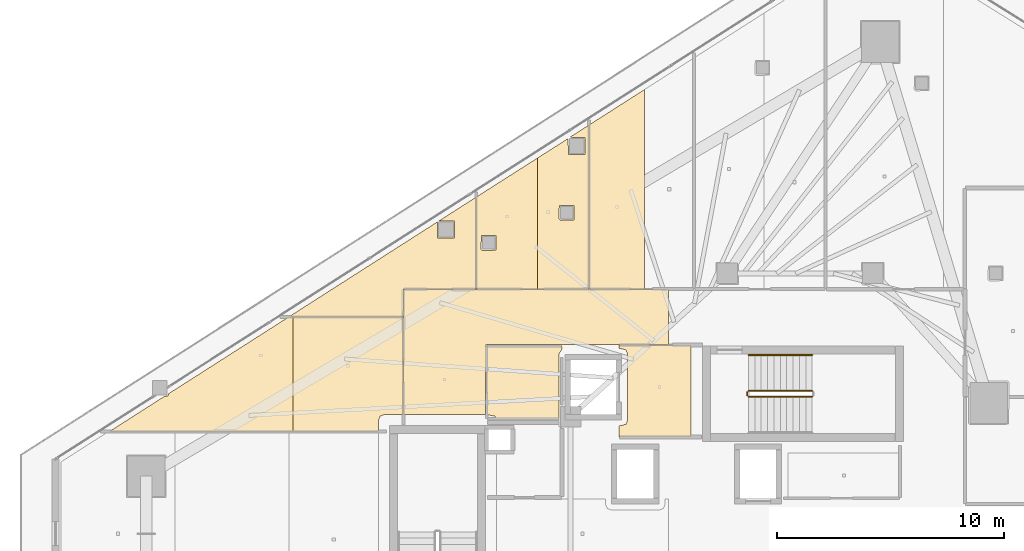
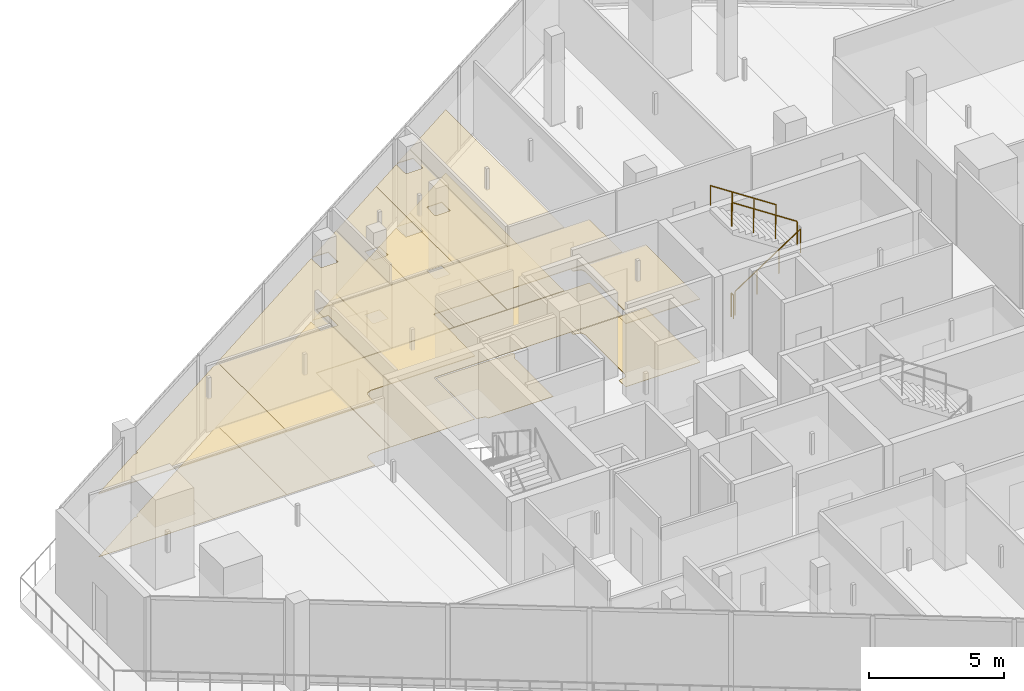
# One storey, part 32 of 33: 17 coverings, 4 railings.
"""IFC4 building model written with IfcOpenShell, lengths in metres."""

from ifc_helpers import new_model, si_unit, direction, frame, origin, origin_2d, place, context, subcontext, project, spatial, polyline, circle, outline, extrude, material, layer, layer_set, type_object, element, save


model = new_model("IFC4")

# Units and contexts
model_context = context("Model", 3, precision=1e-05, world=origin(), true_north=direction((0.0, 1.0)))
body_context = subcontext(model_context, "Body", "Model", "MODEL_VIEW")
ifc_project = project(units=[si_unit("LENGTHUNIT", "METRE"), si_unit("AREAUNIT", "SQUARE_METRE"), si_unit("VOLUMEUNIT", "CUBIC_METRE"), si_unit("PLANEANGLEUNIT", "RADIAN"), si_unit("MASSUNIT", "GRAM", prefix="KILO")], contexts=[model_context])

# Site, building, storey
site_placement = place(None, origin())
site = spatial("IfcSite", under=ifc_project, at=site_placement, CompositionType="ELEMENT")
building_placement = place(site_placement, origin())
building = spatial("IfcBuilding", under=site, at=building_placement, Name="Qorvath Tower", CompositionType="ELEMENT")
storey_placement = place(building_placement, frame((0.0, 0.0, 237.449951171875)))
storey = spatial("IfcBuildingStorey", under=building, at=storey_placement, Name="L55", CompositionType="ELEMENT", Elevation=237.449951171875)

# Coverings
ifc_material_1 = material(Name="Acoustic mineral fibre ceiling tile", Category="gypsum")
ifc_layer_1 = layer(ifc_material_1, 0.030029296875)
ifc_layer_set_1 = layer_set([ifc_layer_1], Name="COV-CEIL")
covering_type_1 = type_object("IfcCoveringType", Name="COV-CEIL", PredefinedType="CEILING", material=ifc_layer_set_1)
covering_1_placement = place(storey_placement, frame((0.0, 0.0, 2.85009765625)))
element("IfcCovering", 1, at=covering_1_placement, inside=storey, type_object=covering_type_1, Name="L55 Suspended Acoustic Ceiling 001", PredefinedType="CEILING", context=body_context, shape_type="SweptSolid", body=[
    extrude(outline(polyline([(-25.18994140625, 4.2548828125), (-25.18994140625, 8.294921875), (-28.375, 8.294921875), (-28.375, 8.159912109375), (-28.063232421875, 8.086669921875), (-27.989990234375, 7.909912109375), (-27.989990234375, 4.989990234375), (-28.063232421875, 4.813232421875), (-28.375, 4.739990234375), (-28.375, 4.2548828125), (-25.18994140625, 4.2548828125)])), origin(), (0.0, 0.0, 1.0), 0.030029296875),
])
covering_2_placement = place(storey_placement, frame((0.0, 0.0, 2.85009765625)))
element("IfcCovering", 2, at=covering_2_placement, inside=storey, type_object=covering_type_1, Name="L55 Suspended Acoustic Ceiling 010", PredefinedType="CEILING", context=body_context, shape_type="SweptSolid", body=[
    extrude(outline(polyline([(-26.183349609375, 8.324951171875), (-26.183349609375, 10.7451171875), (-37.844970703125, 10.7451171875), (-37.844970703125, 5.239990234375), (-34.2509765625, 5.239990234375), (-34.219970703125, 8.324951171875), (-26.183349609375, 8.324951171875)])), origin(), (0.0, 0.0, 1.0), 0.030029296875),
])
covering_3_placement = place(storey_placement, frame((0.0, 0.0, 2.85009765625)))
element("IfcCovering", 3, at=covering_3_placement, inside=storey, type_object=covering_type_1, Name="L55 Suspended Acoustic Ceiling 012", PredefinedType="CEILING", context=body_context, shape_type="SweptSolid", body=[
    extrude(outline(polyline([(-31.9580078125, 10.762939453125), (-31.9580078125, 16.525634765625), (-34.64501953125, 14.8134765625), (-34.64501953125, 10.762939453125), (-31.9580078125, 10.762939453125)]), holes=[polyline([(-34.439208984375, 12.517578125), (-34.421630859375, 13.10986328125), (-33.786865234375, 13.10986328125), (-33.786865234375, 12.47509765625), (-34.379150390625, 12.45751953125), (-34.439208984375, 12.517578125)])]), origin(), (0.0, 0.0, 1.0), 0.030029296875),
])
covering_4_placement = place(storey_placement, frame((0.0, 0.0, 2.85009765625)))
element("IfcCovering", 4, at=covering_4_placement, inside=storey, type_object=covering_type_1, Name="L55 Suspended Acoustic Ceiling 013", PredefinedType="CEILING", context=body_context, shape_type="SweptSolid", body=[
    extrude(outline(polyline([(-30.60986328125, 17.384521484375), (-31.9580078125, 16.525634765625), (-31.9580078125, 10.762939453125), (-29.6923828125, 10.762939453125), (-29.6923828125, 17.978759765625), (-30.528076171875, 17.444580078125), (-29.857421875, 17.427001953125), (-29.857421875, 16.692138671875), (-30.59228515625, 16.692138671875), (-30.60986328125, 17.384521484375)]), holes=[polyline([(-31.01220703125, 13.849365234375), (-30.99462890625, 14.441650390625), (-30.35986328125, 14.441650390625), (-30.35986328125, 13.806884765625), (-30.9521484375, 13.789306640625), (-31.01220703125, 13.849365234375)])]), origin(), (0.0, 0.0, 1.0), 0.030029296875),
])
covering_5_placement = place(storey_placement, frame((0.0, 0.0, 2.85009765625)))
element("IfcCovering", 5, at=covering_5_placement, inside=storey, type_object=covering_type_1, Name="L55 Suspended Acoustic Ceiling 014", PredefinedType="CEILING", context=body_context, shape_type="SweptSolid", body=[
    extrude(outline(polyline([(-29.67431640625, 10.762939453125), (-27.243408203125, 10.762939453125), (-27.243408203125, 19.5439453125), (-29.67431640625, 17.990234375), (-29.67431640625, 10.762939453125)])), origin(), (0.0, 0.0, 1.0), 0.030029296875),
])
covering_6_placement = place(storey_placement, frame((0.0, 0.0, 2.85009765625)))
element("IfcCovering", 6, at=covering_6_placement, inside=storey, type_object=covering_type_1, Name="L55 Suspended Acoustic Ceiling 043", PredefinedType="CEILING", context=body_context, shape_type="SweptSolid", body=[
    extrude(outline(polyline([(-42.712646484375, 4.503173828125), (-42.712646484375, 9.53564453125), (-42.90283203125, 9.53564453125), (-48.193359375, 6.154296875), (-48.2109375, 6.05712890625), (-48.372802734375, 6.03955078125), (-50.775390625, 4.50390625), (-42.712646484375, 4.503173828125)])), origin(), (0.0, 0.0, 1.0), 0.030029296875),
])
covering_7_placement = place(storey_placement, frame((0.0, 0.0, 2.85009765625)))
element("IfcCovering", 7, at=covering_7_placement, inside=storey, type_object=covering_type_1, Name="L55 Suspended Acoustic Ceiling 044", PredefinedType="CEILING", context=body_context, shape_type="SweptSolid", body=[
    extrude(outline(polyline([(-37.863037109375, 9.53564453125), (-42.712646484375, 9.53564453125), (-42.712646484375, 4.503173828125), (-38.949951171875, 4.502685546875), (-38.949951171875, 4.989990234375), (-38.876708984375, 5.166748046875), (-38.699951171875, 5.239990234375), (-37.863037109375, 5.239990234375), (-37.863037109375, 9.53564453125)])), origin(), (0.0, 0.0, 1.0), 0.030029296875),
])
covering_8_placement = place(storey_placement, frame((0.0, 0.0, 2.85009765625)))
element("IfcCovering", 8, at=covering_8_placement, inside=storey, type_object=covering_type_1, Name="L55 Suspended Acoustic Ceiling 045", PredefinedType="CEILING", context=body_context, shape_type="SweptSolid", body=[
    extrude(outline(polyline([(-34.6630859375, 10.762939453125), (-34.6630859375, 14.802001953125), (-36.283935546875, 13.765869140625), (-35.61328125, 13.748291015625), (-35.61328125, 13.013427734375), (-36.34814453125, 13.013427734375), (-36.361328125, 13.716552734375), (-42.87451171875, 9.5537109375), (-37.863037109375, 9.5537109375), (-37.85791015625, 10.762939453125), (-34.6630859375, 10.762939453125)])), origin(), (0.0, 0.0, 1.0), 0.030029296875),
])
ifc_material_2 = material(Name="Low-VOC modular carpet tile", Category="textile")
ifc_layer_2 = layer(ifc_material_2, 0.014892578125)
ifc_layer_set_2 = layer_set([ifc_layer_2], Name="COV-FLOOR-CPT")
covering_type_2 = type_object("IfcCoveringType", Name="COV-FLOOR-CPT", PredefinedType="FLOORING", material=ifc_layer_set_2)
covering_9_placement = place(storey_placement, origin())
element("IfcCovering", 9, at=covering_9_placement, inside=storey, type_object=covering_type_2, Name="L55 Floor Finish 012", PredefinedType="FLOORING", context=body_context, shape_type="SweptSolid", body=[
    extrude(outline(polyline([(-31.9580078125, 10.762939453125), (-31.9580078125, 16.525634765625), (-34.64501953125, 14.8134765625), (-34.64501953125, 10.762939453125), (-31.9580078125, 10.762939453125)]), holes=[polyline([(-34.439208984375, 12.517578125), (-34.421630859375, 13.10986328125), (-33.786865234375, 13.10986328125), (-33.786865234375, 12.47509765625), (-34.379150390625, 12.45751953125), (-34.439208984375, 12.517578125)])]), origin(), (0.0, 0.0, 1.0), 0.01513671875),
])
covering_10_placement = place(storey_placement, origin())
element("IfcCovering", 10, at=covering_10_placement, inside=storey, type_object=covering_type_2, Name="L55 Floor Finish 013", PredefinedType="FLOORING", context=body_context, shape_type="SweptSolid", body=[
    extrude(outline(polyline([(-30.60986328125, 17.384521484375), (-31.9580078125, 16.525634765625), (-31.9580078125, 10.762939453125), (-29.6923828125, 10.762939453125), (-29.6923828125, 17.978759765625), (-30.528076171875, 17.444580078125), (-29.857421875, 17.427001953125), (-29.857421875, 16.692138671875), (-30.59228515625, 16.692138671875), (-30.60986328125, 17.384521484375)]), holes=[polyline([(-31.01220703125, 13.849365234375), (-30.99462890625, 14.441650390625), (-30.35986328125, 14.441650390625), (-30.35986328125, 13.806884765625), (-30.9521484375, 13.789306640625), (-31.01220703125, 13.849365234375)])]), origin(), (0.0, 0.0, 1.0), 0.01513671875),
])
covering_11_placement = place(storey_placement, origin())
element("IfcCovering", 11, at=covering_11_placement, inside=storey, type_object=covering_type_2, Name="L55 Floor Finish 014", PredefinedType="FLOORING", context=body_context, shape_type="SweptSolid", body=[
    extrude(outline(polyline([(-29.67431640625, 10.762939453125), (-27.243408203125, 10.762939453125), (-27.243408203125, 19.5439453125), (-29.67431640625, 17.990234375), (-29.67431640625, 10.762939453125)])), origin(), (0.0, 0.0, 1.0), 0.01513671875),
])
covering_12_placement = place(storey_placement, origin())
element("IfcCovering", 12, at=covering_12_placement, inside=storey, type_object=covering_type_2, Name="L55 Floor Finish 043", PredefinedType="FLOORING", context=body_context, shape_type="SweptSolid", body=[
    extrude(outline(polyline([(-42.712646484375, 4.503173828125), (-42.712646484375, 9.53564453125), (-42.90283203125, 9.53564453125), (-48.193359375, 6.154296875), (-48.2109375, 6.05712890625), (-48.372802734375, 6.03955078125), (-50.775390625, 4.50390625), (-42.712646484375, 4.503173828125)])), origin(), (0.0, 0.0, 1.0), 0.01513671875),
])
covering_13_placement = place(storey_placement, origin())
element("IfcCovering", 13, at=covering_13_placement, inside=storey, type_object=covering_type_2, Name="L55 Floor Finish 044", PredefinedType="FLOORING", context=body_context, shape_type="SweptSolid", body=[
    extrude(outline(polyline([(-37.863037109375, 9.53564453125), (-42.712646484375, 9.53564453125), (-42.712646484375, 4.503173828125), (-38.949951171875, 4.502685546875), (-38.949951171875, 4.989990234375), (-38.876708984375, 5.166748046875), (-38.699951171875, 5.239990234375), (-37.863037109375, 5.239990234375), (-37.863037109375, 9.53564453125)])), origin(), (0.0, 0.0, 1.0), 0.01513671875),
])
covering_14_placement = place(storey_placement, origin())
element("IfcCovering", 14, at=covering_14_placement, inside=storey, type_object=covering_type_2, Name="L55 Floor Finish 045", PredefinedType="FLOORING", context=body_context, shape_type="SweptSolid", body=[
    extrude(outline(polyline([(-34.6630859375, 10.762939453125), (-34.6630859375, 14.802001953125), (-36.283935546875, 13.765869140625), (-35.61328125, 13.748291015625), (-35.61328125, 13.013427734375), (-36.34814453125, 13.013427734375), (-36.361328125, 13.716552734375), (-42.87451171875, 9.5537109375), (-37.863037109375, 9.5537109375), (-37.85791015625, 10.762939453125), (-34.6630859375, 10.762939453125)])), origin(), (0.0, 0.0, 1.0), 0.01513671875),
])
ifc_material_3 = material(Name="Polished epoxy terrazzo flooring", Category="concrete")
ifc_layer_3 = layer(ifc_material_3, 0.02001953125)
ifc_layer_set_3 = layer_set([ifc_layer_3], Name="COV-FLOOR-TRZ")
covering_type_3 = type_object("IfcCoveringType", Name="COV-FLOOR-TRZ", PredefinedType="FLOORING", material=ifc_layer_set_3)
covering_15_placement = place(storey_placement, origin())
element("IfcCovering", 15, at=covering_15_placement, inside=storey, type_object=covering_type_3, Name="L55 Floor Finish 001", PredefinedType="FLOORING", context=body_context, shape_type="SweptSolid", body=[
    extrude(outline(polyline([(-25.18994140625, 4.2548828125), (-25.18994140625, 8.294921875), (-28.375, 8.294921875), (-28.375, 8.159912109375), (-28.063232421875, 8.086669921875), (-27.989990234375, 7.909912109375), (-27.989990234375, 4.989990234375), (-28.063232421875, 4.813232421875), (-28.375, 4.739990234375), (-28.375, 4.2548828125), (-25.18994140625, 4.2548828125)])), origin(), (0.0, 0.0, 1.0), 0.01513671875),
])
covering_16_placement = place(storey_placement, origin())
element("IfcCovering", 16, at=covering_16_placement, inside=storey, type_object=covering_type_3, Name="L55 Floor Finish 005", PredefinedType="FLOORING", context=body_context, shape_type="SweptSolid", body=[
    extrude(outline(polyline([(-31.010009765625, 5.054931640625), (-31.010009765625, 7.909912109375), (-30.885009765625, 8.108154296875), (-30.885009765625, 8.2451171875), (-34.175048828125, 8.2451171875), (-34.175048828125, 5.239990234375), (-33.833251953125, 5.166748046875), (-33.786865234375, 5.054931640625), (-31.010009765625, 5.054931640625)])), origin(), (0.0, 0.0, 1.0), 0.01513671875),
])
covering_17_placement = place(storey_placement, origin())
element("IfcCovering", 17, at=covering_17_placement, inside=storey, type_object=covering_type_3, Name="L55 Floor Finish 010", PredefinedType="FLOORING", context=body_context, shape_type="SweptSolid", body=[
    extrude(outline(polyline([(-26.183349609375, 8.324951171875), (-26.183349609375, 10.7451171875), (-37.844970703125, 10.7451171875), (-37.844970703125, 5.239990234375), (-34.2509765625, 5.239990234375), (-34.219970703125, 8.324951171875), (-26.183349609375, 8.324951171875)])), origin(), (0.0, 0.0, 1.0), 0.01513671875),
])

# Railings
ifc_material_4 = material(Name="Painted galvanised steel", Category="steel")
railing_type_1 = type_object("IfcRailingType", Name="RL-STR-GRD", PredefinedType="GUARDRAIL", material=ifc_material_4)
railing_1_placement = place(storey_placement, frame((-22.669921875, 6.030029296875, 0.18408203125)))
element("IfcRailing", 18, at=railing_1_placement, inside=storey, type_object=railing_type_1, Name="L55 TS1 stair guard 1", PredefinedType="GUARDRAIL", context=body_context, shape_type="SweptSolid", body=[
    extrude(circle(Radius=0.02392578125, at=origin_2d()), frame((0.0, 0.0, 1.076171875), z_axis=(0.835542071712, 0.0, 0.549426470421), x_axis=(0.0, 1.0, 0.0)), (0.0, 0.0, 1.0), 3.350830078125),
    extrude(circle(Radius=0.02099609375, at=origin_2d()), origin(), (0.0, 0.0, 1.0), 1.052001953125),
    extrude(circle(Radius=0.02099609375, at=origin_2d()), frame((0.933349609375, 0.0, 0.61376953125)), (0.0, 0.0, 1.0), 1.052001953125),
    extrude(circle(Radius=0.02099609375, at=origin_2d()), frame((1.866455078125, 0.0, 1.227294921875)), (0.0, 0.0, 1.0), 1.052001953125),
    extrude(circle(Radius=0.02099609375, at=origin_2d()), frame((2.7998046875, 0.0, 1.841064453125)), (0.0, 0.0, 1.0), 1.052001953125),
])
railing_2_placement = place(storey_placement, frame((-19.8701171875, 6.280029296875, 2.209228515625)))
element("IfcRailing", 19, at=railing_2_placement, inside=storey, type_object=railing_type_1, Name="L55 TS1 stair guard 3", PredefinedType="GUARDRAIL", context=body_context, shape_type="SweptSolid", body=[
    extrude(circle(Radius=0.02392578125, at=origin_2d()), frame((0.0, 0.0, 1.076171875), z_axis=(-0.835575518608, 0.0, 0.549375602573), x_axis=(0.0, -1.0, 0.0)), (0.0, 0.0, 1.0), 3.350830078125),
    extrude(circle(Radius=0.02099609375, at=origin_2d()), origin(), (0.0, 0.0, 1.0), 1.052001953125),
    extrude(circle(Radius=0.02099609375, at=origin_2d()), frame((-0.933349609375, 0.0, 0.613525390625)), (0.0, 0.0, 1.0), 1.052001953125),
    extrude(circle(Radius=0.02099609375, at=origin_2d()), frame((-1.866455078125, 0.0, 1.227294921875)), (0.0, 0.0, 1.0), 1.052001953125),
    extrude(circle(Radius=0.02099609375, at=origin_2d()), frame((-2.7998046875, 0.0, 1.8408203125)), (0.0, 0.0, 1.0), 1.052001953125),
])
railing_3_placement = place(storey_placement, frame((-22.719970703125, 6.080078125, 0.0)))
element("IfcRailing", 20, at=railing_3_placement, inside=storey, type_object=railing_type_1, Name="L55 TS1 stair guard 4", PredefinedType="GUARDRAIL", context=body_context, shape_type="SweptSolid", body=[
    extrude(circle(Radius=0.02392578125, at=origin_2d()), frame((0.0, 0.0, 1.076171875), z_axis=(0.0, 1.0, 0.0), x_axis=(-1.0, 0.0, 0.0)), (0.0, 0.0, 1.0), 0.14990234375),
    extrude(circle(Radius=0.02099609375, at=origin_2d()), origin(), (0.0, 0.0, 1.0), 1.052001953125),
    extrude(circle(Radius=0.02099609375, at=origin_2d()), frame((0.0, 0.14990234375, 0.0)), (0.0, 0.0, 1.0), 1.052001953125),
])
ifc_material_5 = material(Name="Brushed stainless steel AISI 304", Category="steel")
railing_type_2 = type_object("IfcRailingType", Name="RL-STR-HND", PredefinedType="HANDRAIL", material=ifc_material_5)
railing_4_placement = place(storey_placement, frame((-19.8701171875, 7.860107421875, 2.209228515625)))
element("IfcRailing", 21, at=railing_4_placement, inside=storey, type_object=railing_type_2, Name="L55 TS1 stair handrail 2", PredefinedType="HANDRAIL", context=body_context, shape_type="SweptSolid", body=[
    extrude(circle(Radius=0.02392578125, at=origin_2d()), frame((0.0, 0.0, 0.8759765625), z_axis=(-0.835575518608, 0.0, 0.549375602573), x_axis=(0.0, -1.0, 0.0)), (0.0, 0.0, 1.0), 3.350830078125),
    extrude(circle(Radius=0.02099609375, at=origin_2d()), origin(), (0.0, 0.0, 1.0), 0.851806640625),
    extrude(circle(Radius=0.02099609375, at=origin_2d()), frame((-0.933349609375, 0.0, 0.613525390625)), (0.0, 0.0, 1.0), 0.851806640625),
    extrude(circle(Radius=0.02099609375, at=origin_2d()), frame((-1.866455078125, 0.0, 1.227294921875)), (0.0, 0.0, 1.0), 0.851806640625),
    extrude(circle(Radius=0.02099609375, at=origin_2d()), frame((-2.7998046875, 0.0, 1.8408203125)), (0.0, 0.0, 1.0), 0.851806640625),
])

save(model, "model.ifc")
